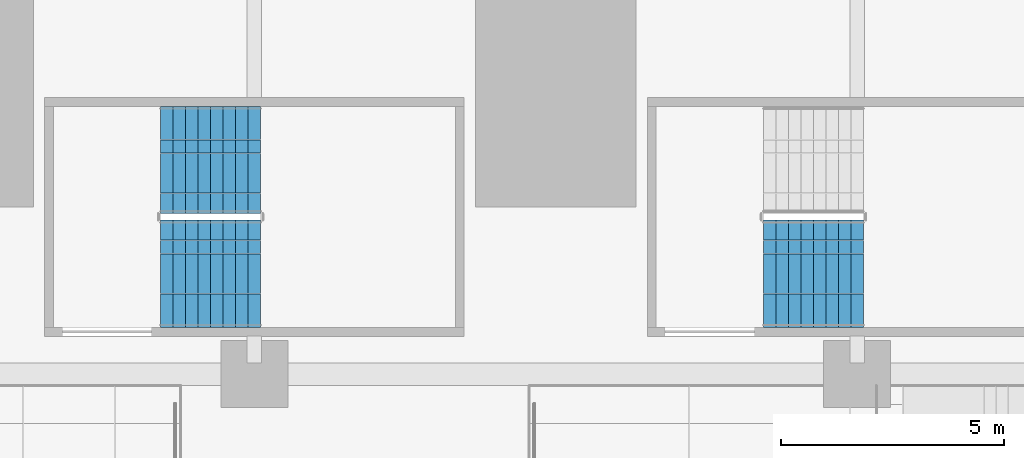
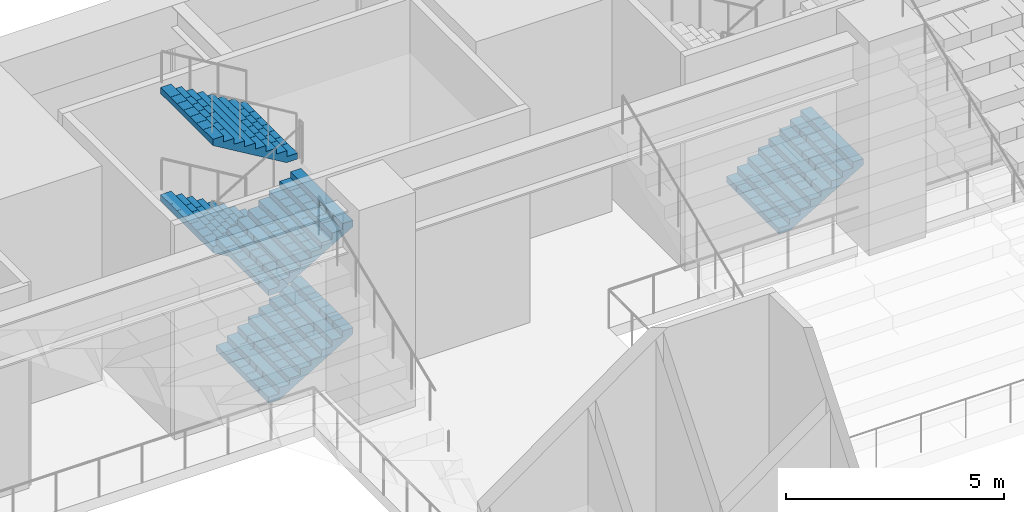
# One storey, part 45 of 61: 5 stair flights, 2 elements without a shape of their own.
"""IFC4 building model written with IfcOpenShell, lengths in metres."""

from ifc_helpers import new_model, si_unit, direction, frame, origin, place, context, subcontext, project, spatial, polyline, outline, extrude, material, type_object, element, aggregate, save


model = new_model("IFC4")

# Units and contexts
model_context = context("Model", 3, precision=1e-05, world=origin(), true_north=direction((0.0, 1.0)))
body_context = subcontext(model_context, "Body", "Model", "MODEL_VIEW")
ifc_project = project(units=[si_unit("LENGTHUNIT", "METRE"), si_unit("AREAUNIT", "SQUARE_METRE"), si_unit("VOLUMEUNIT", "CUBIC_METRE"), si_unit("PLANEANGLEUNIT", "RADIAN"), si_unit("MASSUNIT", "GRAM", prefix="KILO")], contexts=[model_context])

# Site, building, storey
site_placement = place(None, origin())
site = spatial("IfcSite", under=ifc_project, at=site_placement, CompositionType="ELEMENT")
building_placement = place(site_placement, origin())
building = spatial("IfcBuilding", under=site, at=building_placement, Name="Corbelhall Arena Tower", CompositionType="ELEMENT")
storey_placement = place(building_placement, frame((0.0, 0.0, 31.0)))
storey = spatial("IfcBuildingStorey", under=building, at=storey_placement, Name="L04", CompositionType="ELEMENT", Elevation=31.0)

# Stair, stair flights
ifc_material = material(Name="Reinforced concrete C40/50", Category="concrete")
stair_type = type_object("IfcStairType", Name="AR-EXIT-STAIR", PredefinedType="HALF_TURN_STAIR", material=ifc_material)
stair_1_placement = place(storey_placement, origin())
stair_1 = element("IfcStair", 1, at=stair_1_placement, inside=storey, type_object=stair_type, Name="L04 exit stair AS9", PredefinedType="HALF_TURN_STAIR")
stair_flight_type = type_object("IfcStairFlightType", Name="AR-EXIT-FLIGHT", PredefinedType="STRAIGHT", material=ifc_material)
stair_flight_1_placement = place(storey_placement, frame((-22.35009765625, 31.5, 0.0), z_axis=(0.0, 0.0, 1.0), x_axis=(1.0, 0.0, 0.0)))
stair_flight_1 = element("IfcStairFlight", 2, at=stair_flight_1_placement, type_object=stair_flight_type, Name="AS9 flight 1", NumberOfRisers=9, NumberOfTreads=8, PredefinedType="STRAIGHT", RiserHeight=0.166666667, TreadLength=0.28, context=body_context, shape_type="SweptSolid", body=[
    extrude(outline(polyline([(0.0, 0.0), (0.0, 0.166748046875), (0.280029296875, 0.166748046875), (0.280029296875, 0.333251953125), (0.56005859375, 0.333251953125), (0.56005859375, 0.5), (0.840087890625, 0.5), (0.840087890625, 0.666748046875), (1.1201171875, 0.666748046875), (1.1201171875, 0.833251953125), (1.39990234375, 0.833251953125), (1.39990234375, 1.0), (1.679931640625, 1.0), (1.679931640625, 1.166748046875), (1.9599609375, 1.166748046875), (1.9599609375, 1.333251953125), (2.239990234375, 1.333251953125), (2.239990234375, 1.5), (2.239990234375, 1.158935546875), (0.29296875, 0.0), (0.0, 0.0)])), frame((0.0, 1.199951171875, 0.0), z_axis=(0.0, -1.0, 0.0), x_axis=(1.0, 0.0, 0.0)), (0.0, 0.0, 1.0), 0.449951171875),
    extrude(outline(polyline([(0.0, 0.0), (0.0, 0.166748046875), (0.280029296875, 0.166748046875), (0.280029296875, 0.333251953125), (0.56005859375, 0.333251953125), (0.56005859375, 0.5), (0.840087890625, 0.5), (0.840087890625, 0.666748046875), (1.1201171875, 0.666748046875), (1.1201171875, 0.833251953125), (1.39990234375, 0.833251953125), (1.39990234375, 1.0), (1.679931640625, 1.0), (1.679931640625, 1.166748046875), (1.9599609375, 1.166748046875), (1.9599609375, 1.333251953125), (2.239990234375, 1.333251953125), (2.239990234375, 1.5), (2.239990234375, 1.158935546875), (0.29296875, 0.0), (0.0, 0.0)])), frame((0.0, 0.745849609375, 0.0), z_axis=(0.0, -1.0, 0.0), x_axis=(1.0, 0.0, 0.0)), (0.0, 0.0, 1.0), 0.295166015625),
    extrude(outline(polyline([(0.0, 0.0), (0.0, 0.166748046875), (0.280029296875, 0.166748046875), (0.280029296875, 0.333251953125), (0.56005859375, 0.333251953125), (0.56005859375, 0.5), (0.840087890625, 0.5), (0.840087890625, 0.666748046875), (1.1201171875, 0.666748046875), (1.1201171875, 0.833251953125), (1.39990234375, 0.833251953125), (1.39990234375, 1.0), (1.679931640625, 1.0), (1.679931640625, 1.166748046875), (1.9599609375, 1.166748046875), (1.9599609375, 1.333251953125), (2.239990234375, 1.333251953125), (2.239990234375, 1.5), (2.239990234375, 1.158935546875), (0.29296875, 0.0), (0.0, 0.0)])), frame((0.0, 0.44677734375, 0.0), z_axis=(0.0, -1.0, 0.0), x_axis=(1.0, 0.0, 0.0)), (0.0, 0.0, 1.0), 0.295166015625),
    extrude(outline(polyline([(0.0, 0.0), (0.0, 0.166748046875), (0.280029296875, 0.166748046875), (0.280029296875, 0.333251953125), (0.56005859375, 0.333251953125), (0.56005859375, 0.5), (0.840087890625, 0.5), (0.840087890625, 0.666748046875), (1.1201171875, 0.666748046875), (1.1201171875, 0.833251953125), (1.39990234375, 0.833251953125), (1.39990234375, 1.0), (1.679931640625, 1.0), (1.679931640625, 1.166748046875), (1.9599609375, 1.166748046875), (1.9599609375, 1.333251953125), (2.239990234375, 1.333251953125), (2.239990234375, 1.5), (2.239990234375, 1.158935546875), (0.29296875, 0.0), (0.0, 0.0)])), frame((0.0, 0.147705078125, 0.0), z_axis=(0.0, -1.0, 0.0), x_axis=(1.0, 0.0, 0.0)), (0.0, 0.0, 1.0), 0.295166015625),
    extrude(outline(polyline([(0.0, 0.0), (0.0, 0.166748046875), (0.280029296875, 0.166748046875), (0.280029296875, 0.333251953125), (0.56005859375, 0.333251953125), (0.56005859375, 0.5), (0.840087890625, 0.5), (0.840087890625, 0.666748046875), (1.1201171875, 0.666748046875), (1.1201171875, 0.833251953125), (1.39990234375, 0.833251953125), (1.39990234375, 1.0), (1.679931640625, 1.0), (1.679931640625, 1.166748046875), (1.9599609375, 1.166748046875), (1.9599609375, 1.333251953125), (2.239990234375, 1.333251953125), (2.239990234375, 1.5), (2.239990234375, 1.158935546875), (0.29296875, 0.0), (0.0, 0.0)])), frame((0.0, -0.151611328125, 0.0), z_axis=(0.0, -1.0, 0.0), x_axis=(1.0, 0.0, 0.0)), (0.0, 0.0, 1.0), 0.295166015625),
    extrude(outline(polyline([(0.0, 0.0), (0.0, 0.166748046875), (0.280029296875, 0.166748046875), (0.280029296875, 0.333251953125), (0.56005859375, 0.333251953125), (0.56005859375, 0.5), (0.840087890625, 0.5), (0.840087890625, 0.666748046875), (1.1201171875, 0.666748046875), (1.1201171875, 0.833251953125), (1.39990234375, 0.833251953125), (1.39990234375, 1.0), (1.679931640625, 1.0), (1.679931640625, 1.166748046875), (1.9599609375, 1.166748046875), (1.9599609375, 1.333251953125), (2.239990234375, 1.333251953125), (2.239990234375, 1.5), (2.239990234375, 1.158935546875), (0.29296875, 0.0), (0.0, 0.0)])), frame((0.0, -0.45068359375, 0.0), z_axis=(0.0, -1.0, 0.0), x_axis=(1.0, 0.0, 0.0)), (0.0, 0.0, 1.0), 0.295166015625),
    extrude(outline(polyline([(0.0, 0.0), (0.0, 0.166748046875), (0.280029296875, 0.166748046875), (0.280029296875, 0.333251953125), (0.56005859375, 0.333251953125), (0.56005859375, 0.5), (0.840087890625, 0.5), (0.840087890625, 0.666748046875), (1.1201171875, 0.666748046875), (1.1201171875, 0.833251953125), (1.39990234375, 0.833251953125), (1.39990234375, 1.0), (1.679931640625, 1.0), (1.679931640625, 1.166748046875), (1.9599609375, 1.166748046875), (1.9599609375, 1.333251953125), (2.239990234375, 1.333251953125), (2.239990234375, 1.5), (2.239990234375, 1.158935546875), (0.29296875, 0.0), (0.0, 0.0)])), frame((0.0, -0.75, 0.0), z_axis=(0.0, -1.0, 0.0), x_axis=(1.0, 0.0, 0.0)), (0.0, 0.0, 1.0), 0.449951171875),
])
stair_flight_2_placement = place(storey_placement, frame((-20.110107421875, 34.050048828125, 1.5), z_axis=(0.0, 0.0, 1.0), x_axis=(-1.0, 0.0, 0.0)))
stair_flight_2 = element("IfcStairFlight", 3, at=stair_flight_2_placement, type_object=stair_flight_type, Name="AS9 flight 2", NumberOfRisers=9, NumberOfTreads=8, PredefinedType="STRAIGHT", RiserHeight=0.166666667, TreadLength=0.28, context=body_context, shape_type="SweptSolid", body=[
    extrude(outline(polyline([(0.0, 0.0), (0.0, 0.166748046875), (0.280029296875, 0.166748046875), (0.280029296875, 0.333251953125), (0.56005859375, 0.333251953125), (0.56005859375, 0.5), (0.840087890625, 0.5), (0.840087890625, 0.666748046875), (1.1201171875, 0.666748046875), (1.1201171875, 0.833251953125), (1.39990234375, 0.833251953125), (1.39990234375, 1.0), (1.679931640625, 1.0), (1.679931640625, 1.166748046875), (1.9599609375, 1.166748046875), (1.9599609375, 1.333251953125), (2.239990234375, 1.333251953125), (2.239990234375, 1.5), (2.239990234375, 1.158935546875), (0.29296875, 0.0), (0.0, 0.0)])), frame((0.0, 1.199951171875, 0.0), z_axis=(0.0, -1.0, 0.0), x_axis=(1.0, 0.0, 0.0)), (0.0, 0.0, 1.0), 0.449951171875),
    extrude(outline(polyline([(0.0, 0.0), (0.0, 0.166748046875), (0.280029296875, 0.166748046875), (0.280029296875, 0.333251953125), (0.56005859375, 0.333251953125), (0.56005859375, 0.5), (0.840087890625, 0.5), (0.840087890625, 0.666748046875), (1.1201171875, 0.666748046875), (1.1201171875, 0.833251953125), (1.39990234375, 0.833251953125), (1.39990234375, 1.0), (1.679931640625, 1.0), (1.679931640625, 1.166748046875), (1.9599609375, 1.166748046875), (1.9599609375, 1.333251953125), (2.239990234375, 1.333251953125), (2.239990234375, 1.5), (2.239990234375, 1.158935546875), (0.29296875, 0.0), (0.0, 0.0)])), frame((0.0, 0.745849609375, 0.0), z_axis=(0.0, -1.0, 0.0), x_axis=(1.0, 0.0, 0.0)), (0.0, 0.0, 1.0), 0.295166015625),
    extrude(outline(polyline([(0.0, 0.0), (0.0, 0.166748046875), (0.280029296875, 0.166748046875), (0.280029296875, 0.333251953125), (0.56005859375, 0.333251953125), (0.56005859375, 0.5), (0.840087890625, 0.5), (0.840087890625, 0.666748046875), (1.1201171875, 0.666748046875), (1.1201171875, 0.833251953125), (1.39990234375, 0.833251953125), (1.39990234375, 1.0), (1.679931640625, 1.0), (1.679931640625, 1.166748046875), (1.9599609375, 1.166748046875), (1.9599609375, 1.333251953125), (2.239990234375, 1.333251953125), (2.239990234375, 1.5), (2.239990234375, 1.158935546875), (0.29296875, 0.0), (0.0, 0.0)])), frame((0.0, 0.44677734375, 0.0), z_axis=(0.0, -1.0, 0.0), x_axis=(1.0, 0.0, 0.0)), (0.0, 0.0, 1.0), 0.295166015625),
    extrude(outline(polyline([(0.0, 0.0), (0.0, 0.166748046875), (0.280029296875, 0.166748046875), (0.280029296875, 0.333251953125), (0.56005859375, 0.333251953125), (0.56005859375, 0.5), (0.840087890625, 0.5), (0.840087890625, 0.666748046875), (1.1201171875, 0.666748046875), (1.1201171875, 0.833251953125), (1.39990234375, 0.833251953125), (1.39990234375, 1.0), (1.679931640625, 1.0), (1.679931640625, 1.166748046875), (1.9599609375, 1.166748046875), (1.9599609375, 1.333251953125), (2.239990234375, 1.333251953125), (2.239990234375, 1.5), (2.239990234375, 1.158935546875), (0.29296875, 0.0), (0.0, 0.0)])), frame((0.0, 0.147705078125, 0.0), z_axis=(0.0, -1.0, 0.0), x_axis=(1.0, 0.0, 0.0)), (0.0, 0.0, 1.0), 0.295166015625),
    extrude(outline(polyline([(0.0, 0.0), (0.0, 0.166748046875), (0.280029296875, 0.166748046875), (0.280029296875, 0.333251953125), (0.56005859375, 0.333251953125), (0.56005859375, 0.5), (0.840087890625, 0.5), (0.840087890625, 0.666748046875), (1.1201171875, 0.666748046875), (1.1201171875, 0.833251953125), (1.39990234375, 0.833251953125), (1.39990234375, 1.0), (1.679931640625, 1.0), (1.679931640625, 1.166748046875), (1.9599609375, 1.166748046875), (1.9599609375, 1.333251953125), (2.239990234375, 1.333251953125), (2.239990234375, 1.5), (2.239990234375, 1.158935546875), (0.29296875, 0.0), (0.0, 0.0)])), frame((0.0, -0.151611328125, 0.0), z_axis=(0.0, -1.0, 0.0), x_axis=(1.0, 0.0, 0.0)), (0.0, 0.0, 1.0), 0.295166015625),
    extrude(outline(polyline([(0.0, 0.0), (0.0, 0.166748046875), (0.280029296875, 0.166748046875), (0.280029296875, 0.333251953125), (0.56005859375, 0.333251953125), (0.56005859375, 0.5), (0.840087890625, 0.5), (0.840087890625, 0.666748046875), (1.1201171875, 0.666748046875), (1.1201171875, 0.833251953125), (1.39990234375, 0.833251953125), (1.39990234375, 1.0), (1.679931640625, 1.0), (1.679931640625, 1.166748046875), (1.9599609375, 1.166748046875), (1.9599609375, 1.333251953125), (2.239990234375, 1.333251953125), (2.239990234375, 1.5), (2.239990234375, 1.158935546875), (0.29296875, 0.0), (0.0, 0.0)])), frame((0.0, -0.45068359375, 0.0), z_axis=(0.0, -1.0, 0.0), x_axis=(1.0, 0.0, 0.0)), (0.0, 0.0, 1.0), 0.295166015625),
    extrude(outline(polyline([(0.0, 0.0), (0.0, 0.166748046875), (0.280029296875, 0.166748046875), (0.280029296875, 0.333251953125), (0.56005859375, 0.333251953125), (0.56005859375, 0.5), (0.840087890625, 0.5), (0.840087890625, 0.666748046875), (1.1201171875, 0.666748046875), (1.1201171875, 0.833251953125), (1.39990234375, 0.833251953125), (1.39990234375, 1.0), (1.679931640625, 1.0), (1.679931640625, 1.166748046875), (1.9599609375, 1.166748046875), (1.9599609375, 1.333251953125), (2.239990234375, 1.333251953125), (2.239990234375, 1.5), (2.239990234375, 1.158935546875), (0.29296875, 0.0), (0.0, 0.0)])), frame((0.0, -0.75, 0.0), z_axis=(0.0, -1.0, 0.0), x_axis=(1.0, 0.0, 0.0)), (0.0, 0.0, 1.0), 0.449951171875),
])
stair_flight_3_placement = place(storey_placement, frame((-22.35009765625, 31.5, 3.0), z_axis=(0.0, 0.0, 1.0), x_axis=(1.0, 0.0, 0.0)))
stair_flight_3 = element("IfcStairFlight", 4, at=stair_flight_3_placement, type_object=stair_flight_type, Name="AS9 flight 3", NumberOfRisers=9, NumberOfTreads=8, PredefinedType="STRAIGHT", RiserHeight=0.166666667, TreadLength=0.28, context=body_context, shape_type="SweptSolid", body=[
    extrude(outline(polyline([(0.0, 0.0), (0.0, 0.166748046875), (0.280029296875, 0.166748046875), (0.280029296875, 0.333251953125), (0.56005859375, 0.333251953125), (0.56005859375, 0.5), (0.840087890625, 0.5), (0.840087890625, 0.666748046875), (1.1201171875, 0.666748046875), (1.1201171875, 0.833251953125), (1.39990234375, 0.833251953125), (1.39990234375, 1.0), (1.679931640625, 1.0), (1.679931640625, 1.166748046875), (1.9599609375, 1.166748046875), (1.9599609375, 1.333251953125), (2.239990234375, 1.333251953125), (2.239990234375, 1.5), (2.239990234375, 1.158935546875), (0.29296875, 0.0), (0.0, 0.0)])), frame((0.0, 1.199951171875, 0.0), z_axis=(0.0, -1.0, 0.0), x_axis=(1.0, 0.0, 0.0)), (0.0, 0.0, 1.0), 0.449951171875),
    extrude(outline(polyline([(0.0, 0.0), (0.0, 0.166748046875), (0.280029296875, 0.166748046875), (0.280029296875, 0.333251953125), (0.56005859375, 0.333251953125), (0.56005859375, 0.5), (0.840087890625, 0.5), (0.840087890625, 0.666748046875), (1.1201171875, 0.666748046875), (1.1201171875, 0.833251953125), (1.39990234375, 0.833251953125), (1.39990234375, 1.0), (1.679931640625, 1.0), (1.679931640625, 1.166748046875), (1.9599609375, 1.166748046875), (1.9599609375, 1.333251953125), (2.239990234375, 1.333251953125), (2.239990234375, 1.5), (2.239990234375, 1.158935546875), (0.29296875, 0.0), (0.0, 0.0)])), frame((0.0, 0.745849609375, 0.0), z_axis=(0.0, -1.0, 0.0), x_axis=(1.0, 0.0, 0.0)), (0.0, 0.0, 1.0), 0.295166015625),
    extrude(outline(polyline([(0.0, 0.0), (0.0, 0.166748046875), (0.280029296875, 0.166748046875), (0.280029296875, 0.333251953125), (0.56005859375, 0.333251953125), (0.56005859375, 0.5), (0.840087890625, 0.5), (0.840087890625, 0.666748046875), (1.1201171875, 0.666748046875), (1.1201171875, 0.833251953125), (1.39990234375, 0.833251953125), (1.39990234375, 1.0), (1.679931640625, 1.0), (1.679931640625, 1.166748046875), (1.9599609375, 1.166748046875), (1.9599609375, 1.333251953125), (2.239990234375, 1.333251953125), (2.239990234375, 1.5), (2.239990234375, 1.158935546875), (0.29296875, 0.0), (0.0, 0.0)])), frame((0.0, 0.44677734375, 0.0), z_axis=(0.0, -1.0, 0.0), x_axis=(1.0, 0.0, 0.0)), (0.0, 0.0, 1.0), 0.295166015625),
    extrude(outline(polyline([(0.0, 0.0), (0.0, 0.166748046875), (0.280029296875, 0.166748046875), (0.280029296875, 0.333251953125), (0.56005859375, 0.333251953125), (0.56005859375, 0.5), (0.840087890625, 0.5), (0.840087890625, 0.666748046875), (1.1201171875, 0.666748046875), (1.1201171875, 0.833251953125), (1.39990234375, 0.833251953125), (1.39990234375, 1.0), (1.679931640625, 1.0), (1.679931640625, 1.166748046875), (1.9599609375, 1.166748046875), (1.9599609375, 1.333251953125), (2.239990234375, 1.333251953125), (2.239990234375, 1.5), (2.239990234375, 1.158935546875), (0.29296875, 0.0), (0.0, 0.0)])), frame((0.0, 0.147705078125, 0.0), z_axis=(0.0, -1.0, 0.0), x_axis=(1.0, 0.0, 0.0)), (0.0, 0.0, 1.0), 0.295166015625),
    extrude(outline(polyline([(0.0, 0.0), (0.0, 0.166748046875), (0.280029296875, 0.166748046875), (0.280029296875, 0.333251953125), (0.56005859375, 0.333251953125), (0.56005859375, 0.5), (0.840087890625, 0.5), (0.840087890625, 0.666748046875), (1.1201171875, 0.666748046875), (1.1201171875, 0.833251953125), (1.39990234375, 0.833251953125), (1.39990234375, 1.0), (1.679931640625, 1.0), (1.679931640625, 1.166748046875), (1.9599609375, 1.166748046875), (1.9599609375, 1.333251953125), (2.239990234375, 1.333251953125), (2.239990234375, 1.5), (2.239990234375, 1.158935546875), (0.29296875, 0.0), (0.0, 0.0)])), frame((0.0, -0.151611328125, 0.0), z_axis=(0.0, -1.0, 0.0), x_axis=(1.0, 0.0, 0.0)), (0.0, 0.0, 1.0), 0.295166015625),
    extrude(outline(polyline([(0.0, 0.0), (0.0, 0.166748046875), (0.280029296875, 0.166748046875), (0.280029296875, 0.333251953125), (0.56005859375, 0.333251953125), (0.56005859375, 0.5), (0.840087890625, 0.5), (0.840087890625, 0.666748046875), (1.1201171875, 0.666748046875), (1.1201171875, 0.833251953125), (1.39990234375, 0.833251953125), (1.39990234375, 1.0), (1.679931640625, 1.0), (1.679931640625, 1.166748046875), (1.9599609375, 1.166748046875), (1.9599609375, 1.333251953125), (2.239990234375, 1.333251953125), (2.239990234375, 1.5), (2.239990234375, 1.158935546875), (0.29296875, 0.0), (0.0, 0.0)])), frame((0.0, -0.45068359375, 0.0), z_axis=(0.0, -1.0, 0.0), x_axis=(1.0, 0.0, 0.0)), (0.0, 0.0, 1.0), 0.295166015625),
    extrude(outline(polyline([(0.0, 0.0), (0.0, 0.166748046875), (0.280029296875, 0.166748046875), (0.280029296875, 0.333251953125), (0.56005859375, 0.333251953125), (0.56005859375, 0.5), (0.840087890625, 0.5), (0.840087890625, 0.666748046875), (1.1201171875, 0.666748046875), (1.1201171875, 0.833251953125), (1.39990234375, 0.833251953125), (1.39990234375, 1.0), (1.679931640625, 1.0), (1.679931640625, 1.166748046875), (1.9599609375, 1.166748046875), (1.9599609375, 1.333251953125), (2.239990234375, 1.333251953125), (2.239990234375, 1.5), (2.239990234375, 1.158935546875), (0.29296875, 0.0), (0.0, 0.0)])), frame((0.0, -0.75, 0.0), z_axis=(0.0, -1.0, 0.0), x_axis=(1.0, 0.0, 0.0)), (0.0, 0.0, 1.0), 0.449951171875),
])
stair_flight_4_placement = place(storey_placement, frame((-20.110107421875, 34.050048828125, 4.5), z_axis=(0.0, 0.0, 1.0), x_axis=(-1.0, 0.0, 0.0)))
stair_flight_4 = element("IfcStairFlight", 5, at=stair_flight_4_placement, type_object=stair_flight_type, Name="AS9 flight 4", NumberOfRisers=9, NumberOfTreads=8, PredefinedType="STRAIGHT", RiserHeight=0.166666667, TreadLength=0.28, context=body_context, shape_type="SweptSolid", body=[
    extrude(outline(polyline([(0.0, 0.0), (0.0, 0.166748046875), (0.280029296875, 0.166748046875), (0.280029296875, 0.333251953125), (0.56005859375, 0.333251953125), (0.56005859375, 0.5), (0.840087890625, 0.5), (0.840087890625, 0.666748046875), (1.1201171875, 0.666748046875), (1.1201171875, 0.833251953125), (1.39990234375, 0.833251953125), (1.39990234375, 1.0), (1.679931640625, 1.0), (1.679931640625, 1.166748046875), (1.9599609375, 1.166748046875), (1.9599609375, 1.333251953125), (2.239990234375, 1.333251953125), (2.239990234375, 1.5), (2.239990234375, 1.158935546875), (0.29296875, 0.0), (0.0, 0.0)])), frame((0.0, 1.199951171875, 0.0), z_axis=(0.0, -1.0, 0.0), x_axis=(1.0, 0.0, 0.0)), (0.0, 0.0, 1.0), 0.449951171875),
    extrude(outline(polyline([(0.0, 0.0), (0.0, 0.166748046875), (0.280029296875, 0.166748046875), (0.280029296875, 0.333251953125), (0.56005859375, 0.333251953125), (0.56005859375, 0.5), (0.840087890625, 0.5), (0.840087890625, 0.666748046875), (1.1201171875, 0.666748046875), (1.1201171875, 0.833251953125), (1.39990234375, 0.833251953125), (1.39990234375, 1.0), (1.679931640625, 1.0), (1.679931640625, 1.166748046875), (1.9599609375, 1.166748046875), (1.9599609375, 1.333251953125), (2.239990234375, 1.333251953125), (2.239990234375, 1.5), (2.239990234375, 1.158935546875), (0.29296875, 0.0), (0.0, 0.0)])), frame((0.0, 0.745849609375, 0.0), z_axis=(0.0, -1.0, 0.0), x_axis=(1.0, 0.0, 0.0)), (0.0, 0.0, 1.0), 0.295166015625),
    extrude(outline(polyline([(0.0, 0.0), (0.0, 0.166748046875), (0.280029296875, 0.166748046875), (0.280029296875, 0.333251953125), (0.56005859375, 0.333251953125), (0.56005859375, 0.5), (0.840087890625, 0.5), (0.840087890625, 0.666748046875), (1.1201171875, 0.666748046875), (1.1201171875, 0.833251953125), (1.39990234375, 0.833251953125), (1.39990234375, 1.0), (1.679931640625, 1.0), (1.679931640625, 1.166748046875), (1.9599609375, 1.166748046875), (1.9599609375, 1.333251953125), (2.239990234375, 1.333251953125), (2.239990234375, 1.5), (2.239990234375, 1.158935546875), (0.29296875, 0.0), (0.0, 0.0)])), frame((0.0, 0.44677734375, 0.0), z_axis=(0.0, -1.0, 0.0), x_axis=(1.0, 0.0, 0.0)), (0.0, 0.0, 1.0), 0.295166015625),
    extrude(outline(polyline([(0.0, 0.0), (0.0, 0.166748046875), (0.280029296875, 0.166748046875), (0.280029296875, 0.333251953125), (0.56005859375, 0.333251953125), (0.56005859375, 0.5), (0.840087890625, 0.5), (0.840087890625, 0.666748046875), (1.1201171875, 0.666748046875), (1.1201171875, 0.833251953125), (1.39990234375, 0.833251953125), (1.39990234375, 1.0), (1.679931640625, 1.0), (1.679931640625, 1.166748046875), (1.9599609375, 1.166748046875), (1.9599609375, 1.333251953125), (2.239990234375, 1.333251953125), (2.239990234375, 1.5), (2.239990234375, 1.158935546875), (0.29296875, 0.0), (0.0, 0.0)])), frame((0.0, 0.147705078125, 0.0), z_axis=(0.0, -1.0, 0.0), x_axis=(1.0, 0.0, 0.0)), (0.0, 0.0, 1.0), 0.295166015625),
    extrude(outline(polyline([(0.0, 0.0), (0.0, 0.166748046875), (0.280029296875, 0.166748046875), (0.280029296875, 0.333251953125), (0.56005859375, 0.333251953125), (0.56005859375, 0.5), (0.840087890625, 0.5), (0.840087890625, 0.666748046875), (1.1201171875, 0.666748046875), (1.1201171875, 0.833251953125), (1.39990234375, 0.833251953125), (1.39990234375, 1.0), (1.679931640625, 1.0), (1.679931640625, 1.166748046875), (1.9599609375, 1.166748046875), (1.9599609375, 1.333251953125), (2.239990234375, 1.333251953125), (2.239990234375, 1.5), (2.239990234375, 1.158935546875), (0.29296875, 0.0), (0.0, 0.0)])), frame((0.0, -0.151611328125, 0.0), z_axis=(0.0, -1.0, 0.0), x_axis=(1.0, 0.0, 0.0)), (0.0, 0.0, 1.0), 0.295166015625),
    extrude(outline(polyline([(0.0, 0.0), (0.0, 0.166748046875), (0.280029296875, 0.166748046875), (0.280029296875, 0.333251953125), (0.56005859375, 0.333251953125), (0.56005859375, 0.5), (0.840087890625, 0.5), (0.840087890625, 0.666748046875), (1.1201171875, 0.666748046875), (1.1201171875, 0.833251953125), (1.39990234375, 0.833251953125), (1.39990234375, 1.0), (1.679931640625, 1.0), (1.679931640625, 1.166748046875), (1.9599609375, 1.166748046875), (1.9599609375, 1.333251953125), (2.239990234375, 1.333251953125), (2.239990234375, 1.5), (2.239990234375, 1.158935546875), (0.29296875, 0.0), (0.0, 0.0)])), frame((0.0, -0.45068359375, 0.0), z_axis=(0.0, -1.0, 0.0), x_axis=(1.0, 0.0, 0.0)), (0.0, 0.0, 1.0), 0.295166015625),
    extrude(outline(polyline([(0.0, 0.0), (0.0, 0.166748046875), (0.280029296875, 0.166748046875), (0.280029296875, 0.333251953125), (0.56005859375, 0.333251953125), (0.56005859375, 0.5), (0.840087890625, 0.5), (0.840087890625, 0.666748046875), (1.1201171875, 0.666748046875), (1.1201171875, 0.833251953125), (1.39990234375, 0.833251953125), (1.39990234375, 1.0), (1.679931640625, 1.0), (1.679931640625, 1.166748046875), (1.9599609375, 1.166748046875), (1.9599609375, 1.333251953125), (2.239990234375, 1.333251953125), (2.239990234375, 1.5), (2.239990234375, 1.158935546875), (0.29296875, 0.0), (0.0, 0.0)])), frame((0.0, -0.75, 0.0), z_axis=(0.0, -1.0, 0.0), x_axis=(1.0, 0.0, 0.0)), (0.0, 0.0, 1.0), 0.449951171875),
])
aggregate(stair_1, [stair_flight_1, stair_flight_2, stair_flight_3, stair_flight_4])

# Stair, stair flight
stair_2_placement = place(storey_placement, origin())
stair_2 = element("IfcStair", 6, at=stair_2_placement, inside=storey, type_object=stair_type, Name="L04 exit stair AS10", PredefinedType="HALF_TURN_STAIR")
stair_flight_5_placement = place(storey_placement, frame((-8.85009765625, 31.5, 0.0), z_axis=(0.0, 0.0, 1.0), x_axis=(1.0, 0.0, 0.0)))
stair_flight_5 = element("IfcStairFlight", 7, at=stair_flight_5_placement, type_object=stair_flight_type, Name="AS10 flight 1", NumberOfRisers=9, NumberOfTreads=8, PredefinedType="STRAIGHT", RiserHeight=0.166666667, TreadLength=0.28, context=body_context, shape_type="SweptSolid", body=[
    extrude(outline(polyline([(0.0, 0.0), (0.0, 0.166748046875), (0.280029296875, 0.166748046875), (0.280029296875, 0.333251953125), (0.56005859375, 0.333251953125), (0.56005859375, 0.5), (0.840087890625, 0.5), (0.840087890625, 0.666748046875), (1.1201171875, 0.666748046875), (1.1201171875, 0.833251953125), (1.39990234375, 0.833251953125), (1.39990234375, 1.0), (1.679931640625, 1.0), (1.679931640625, 1.166748046875), (1.9599609375, 1.166748046875), (1.9599609375, 1.333251953125), (2.239990234375, 1.333251953125), (2.239990234375, 1.5), (2.239990234375, 1.158935546875), (0.29296875, 0.0), (0.0, 0.0)])), frame((0.0, 1.199951171875, 0.0), z_axis=(0.0, -1.0, 0.0), x_axis=(1.0, 0.0, 0.0)), (0.0, 0.0, 1.0), 0.449951171875),
    extrude(outline(polyline([(0.0, 0.0), (0.0, 0.166748046875), (0.280029296875, 0.166748046875), (0.280029296875, 0.333251953125), (0.56005859375, 0.333251953125), (0.56005859375, 0.5), (0.840087890625, 0.5), (0.840087890625, 0.666748046875), (1.1201171875, 0.666748046875), (1.1201171875, 0.833251953125), (1.39990234375, 0.833251953125), (1.39990234375, 1.0), (1.679931640625, 1.0), (1.679931640625, 1.166748046875), (1.9599609375, 1.166748046875), (1.9599609375, 1.333251953125), (2.239990234375, 1.333251953125), (2.239990234375, 1.5), (2.239990234375, 1.158935546875), (0.29296875, 0.0), (0.0, 0.0)])), frame((0.0, 0.745849609375, 0.0), z_axis=(0.0, -1.0, 0.0), x_axis=(1.0, 0.0, 0.0)), (0.0, 0.0, 1.0), 0.295166015625),
    extrude(outline(polyline([(0.0, 0.0), (0.0, 0.166748046875), (0.280029296875, 0.166748046875), (0.280029296875, 0.333251953125), (0.56005859375, 0.333251953125), (0.56005859375, 0.5), (0.840087890625, 0.5), (0.840087890625, 0.666748046875), (1.1201171875, 0.666748046875), (1.1201171875, 0.833251953125), (1.39990234375, 0.833251953125), (1.39990234375, 1.0), (1.679931640625, 1.0), (1.679931640625, 1.166748046875), (1.9599609375, 1.166748046875), (1.9599609375, 1.333251953125), (2.239990234375, 1.333251953125), (2.239990234375, 1.5), (2.239990234375, 1.158935546875), (0.29296875, 0.0), (0.0, 0.0)])), frame((0.0, 0.44677734375, 0.0), z_axis=(0.0, -1.0, 0.0), x_axis=(1.0, 0.0, 0.0)), (0.0, 0.0, 1.0), 0.295166015625),
    extrude(outline(polyline([(0.0, 0.0), (0.0, 0.166748046875), (0.280029296875, 0.166748046875), (0.280029296875, 0.333251953125), (0.56005859375, 0.333251953125), (0.56005859375, 0.5), (0.840087890625, 0.5), (0.840087890625, 0.666748046875), (1.1201171875, 0.666748046875), (1.1201171875, 0.833251953125), (1.39990234375, 0.833251953125), (1.39990234375, 1.0), (1.679931640625, 1.0), (1.679931640625, 1.166748046875), (1.9599609375, 1.166748046875), (1.9599609375, 1.333251953125), (2.239990234375, 1.333251953125), (2.239990234375, 1.5), (2.239990234375, 1.158935546875), (0.29296875, 0.0), (0.0, 0.0)])), frame((0.0, 0.147705078125, 0.0), z_axis=(0.0, -1.0, 0.0), x_axis=(1.0, 0.0, 0.0)), (0.0, 0.0, 1.0), 0.295166015625),
    extrude(outline(polyline([(0.0, 0.0), (0.0, 0.166748046875), (0.280029296875, 0.166748046875), (0.280029296875, 0.333251953125), (0.56005859375, 0.333251953125), (0.56005859375, 0.5), (0.840087890625, 0.5), (0.840087890625, 0.666748046875), (1.1201171875, 0.666748046875), (1.1201171875, 0.833251953125), (1.39990234375, 0.833251953125), (1.39990234375, 1.0), (1.679931640625, 1.0), (1.679931640625, 1.166748046875), (1.9599609375, 1.166748046875), (1.9599609375, 1.333251953125), (2.239990234375, 1.333251953125), (2.239990234375, 1.5), (2.239990234375, 1.158935546875), (0.29296875, 0.0), (0.0, 0.0)])), frame((0.0, -0.151611328125, 0.0), z_axis=(0.0, -1.0, 0.0), x_axis=(1.0, 0.0, 0.0)), (0.0, 0.0, 1.0), 0.295166015625),
    extrude(outline(polyline([(0.0, 0.0), (0.0, 0.166748046875), (0.280029296875, 0.166748046875), (0.280029296875, 0.333251953125), (0.56005859375, 0.333251953125), (0.56005859375, 0.5), (0.840087890625, 0.5), (0.840087890625, 0.666748046875), (1.1201171875, 0.666748046875), (1.1201171875, 0.833251953125), (1.39990234375, 0.833251953125), (1.39990234375, 1.0), (1.679931640625, 1.0), (1.679931640625, 1.166748046875), (1.9599609375, 1.166748046875), (1.9599609375, 1.333251953125), (2.239990234375, 1.333251953125), (2.239990234375, 1.5), (2.239990234375, 1.158935546875), (0.29296875, 0.0), (0.0, 0.0)])), frame((0.0, -0.45068359375, 0.0), z_axis=(0.0, -1.0, 0.0), x_axis=(1.0, 0.0, 0.0)), (0.0, 0.0, 1.0), 0.295166015625),
    extrude(outline(polyline([(0.0, 0.0), (0.0, 0.166748046875), (0.280029296875, 0.166748046875), (0.280029296875, 0.333251953125), (0.56005859375, 0.333251953125), (0.56005859375, 0.5), (0.840087890625, 0.5), (0.840087890625, 0.666748046875), (1.1201171875, 0.666748046875), (1.1201171875, 0.833251953125), (1.39990234375, 0.833251953125), (1.39990234375, 1.0), (1.679931640625, 1.0), (1.679931640625, 1.166748046875), (1.9599609375, 1.166748046875), (1.9599609375, 1.333251953125), (2.239990234375, 1.333251953125), (2.239990234375, 1.5), (2.239990234375, 1.158935546875), (0.29296875, 0.0), (0.0, 0.0)])), frame((0.0, -0.75, 0.0), z_axis=(0.0, -1.0, 0.0), x_axis=(1.0, 0.0, 0.0)), (0.0, 0.0, 1.0), 0.449951171875),
])
aggregate(stair_2, [stair_flight_5])

save(model, "model.ifc")
